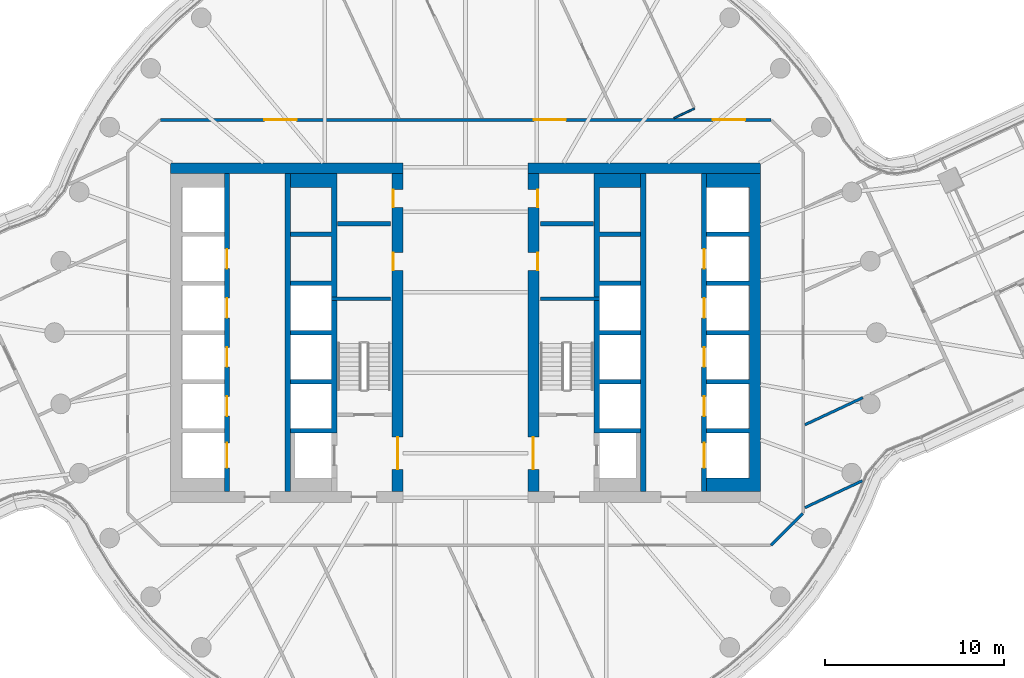
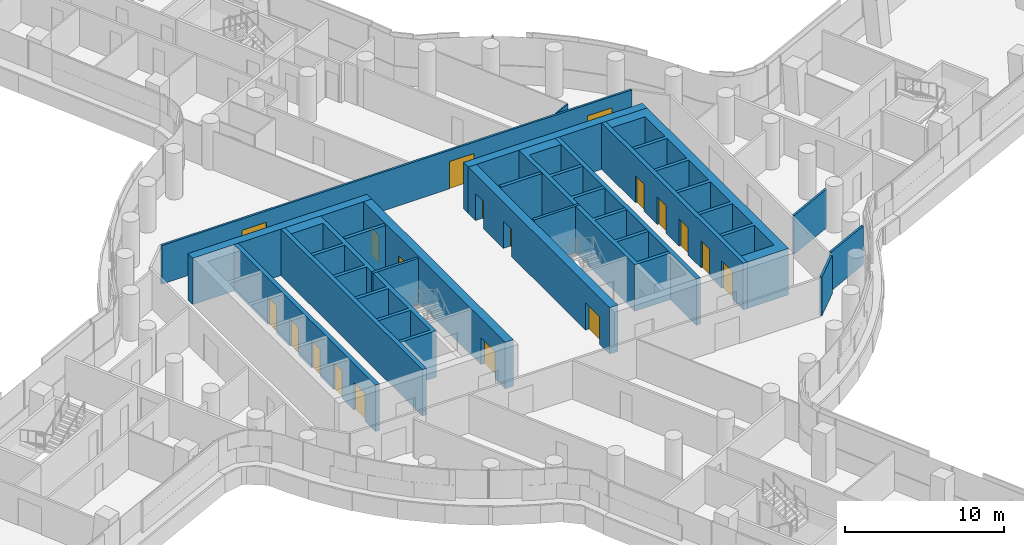
# One storey, part 25 of 36: 20 walls, 19 doors, 19 openings.
"""IFC4 building model written with IfcOpenShell, lengths in metres."""

from ifc_helpers import new_model, si_unit, direction, frame, frame_2d, origin, place, context, subcontext, project, spatial, polyline, rectangle, outline, extrude, material, layer, layer_set, type_object, element, fill, save


model = new_model("IFC4")

# Units and contexts
model_context = context("Model", 3, precision=1e-05, world=origin(), true_north=direction((0.0, 1.0)))
body_context = subcontext(model_context, "Body", "Model", "MODEL_VIEW")
ifc_project = project(units=[si_unit("LENGTHUNIT", "METRE"), si_unit("AREAUNIT", "SQUARE_METRE"), si_unit("VOLUMEUNIT", "CUBIC_METRE"), si_unit("PLANEANGLEUNIT", "RADIAN"), si_unit("MASSUNIT", "GRAM", prefix="KILO")], contexts=[model_context])

# Site, building, storey
site_placement = place(None, origin())
site = spatial("IfcSite", under=ifc_project, at=site_placement, CompositionType="ELEMENT")
building_placement = place(site_placement, origin())
building = spatial("IfcBuilding", under=site, at=building_placement, Name="Tamarind Cross Interchange Tower", CompositionType="ELEMENT")
storey_placement = place(building_placement, frame((0.0, 0.0, 124.75)))
storey = spatial("IfcBuildingStorey", under=building, at=storey_placement, Name="L30", CompositionType="ELEMENT", Elevation=124.75)

# Wall
ifc_material_1 = material(Name="Concrete C70", Category="concrete")
ifc_layer_1 = layer(ifc_material_1, 0.60009765625)
ifc_layer_set_1 = layer_set([ifc_layer_1], Name="Concrete C70")
wall_type_1 = type_object("IfcWallType", Name="Core wall 600 mm Concrete C70", PredefinedType="SHEAR", material=ifc_layer_set_1)
wall_1_placement = place(storey_placement, frame((-16.5, 9.199951171875, 0.0), z_axis=(0.0, 0.0, 1.0), x_axis=(1.0, 0.0, 0.0)))
element("IfcWall", 1, at=wall_1_placement, inside=storey, type_object=wall_type_1, Name="Core wall CWL-L30-W-NE", PredefinedType="SHEAR", context=body_context, shape_type="SweptSolid", body=[
    extrude(rectangle(XDim=13.0, YDim=0.60009765625, at=frame_2d((6.5, 0.0))), origin(), (0.0, 0.0, 1.0), 3.570068359375),
])

# Wall, openings, doors
wall_2_placement = place(storey_placement, frame((-3.800048828125, -8.89990234375, 0.0), z_axis=(0.0, 0.0, 1.0), x_axis=(0.0, 1.0, 0.0)))
wall_2 = element("IfcWall", 2, at=wall_2_placement, inside=storey, type_object=wall_type_1, Name="Core wall CWL-L30-W-IN", PredefinedType="SHEAR", context=body_context, shape_type="SweptSolid", body=[
    extrude(rectangle(XDim=17.7998046875, YDim=0.60009765625, at=frame_2d((8.89990234375, 0.0))), origin(), (0.0, 0.0, 1.0), 3.570068359375),
])
opening_1_placement = place(wall_2_placement, frame((1.25, 0.0, 0.0)))
opening_1 = element("IfcOpeningElement", 3, at=opening_1_placement, cuts=wall_2, Name="Opening DCW4", PredefinedType="OPENING", context=body_context, shape_type="SweptSolid", body=[
    extrude(rectangle(XDim=1.800048828125, YDim=2.10009765625, at=frame_2d((0.89990234375, 1.050048828125))), frame((0.0, 0.31005859375, 0.0), z_axis=(0.0, -1.0, 0.0), x_axis=(1.0, 0.0, 0.0)), (0.0, 0.0, 1.0), 0.6201171875),
])
opening_2_placement = place(wall_2_placement, frame((12.37744140625, 0.0, 0.0)))
opening_2 = element("IfcOpeningElement", 4, at=opening_2_placement, cuts=wall_2, Name="Opening DCW5", PredefinedType="OPENING", context=body_context, shape_type="SweptSolid", body=[
    extrude(rectangle(XDim=1.0, YDim=2.10009765625, at=frame_2d((0.5, 1.050048828125))), frame((0.0, 0.31005859375, 0.0), z_axis=(0.0, -1.0, 0.0), x_axis=(1.0, 0.0, 0.0)), (0.0, 0.0, 1.0), 0.6201171875),
])
opening_3_placement = place(wall_2_placement, frame((15.902587890625, 0.0, 0.0)))
opening_3 = element("IfcOpeningElement", 5, at=opening_3_placement, cuts=wall_2, Name="Opening DCW5", PredefinedType="OPENING", context=body_context, shape_type="SweptSolid", body=[
    extrude(rectangle(XDim=1.0, YDim=2.10009765625, at=frame_2d((0.5, 1.050048828125))), frame((0.0, 0.31005859375, 0.0), z_axis=(0.0, -1.0, 0.0), x_axis=(1.0, 0.0, 0.0)), (0.0, 0.0, 1.0), 0.6201171875),
])
ifc_material_2 = material(Name="Steel, fire-resisting", Category="steel")
door_type_1 = type_object("IfcDoorType", Name="Core fire door 1000 x 2100 FD90", OperationType="SINGLE_SWING_LEFT", PredefinedType="DOOR", material=ifc_material_2)
door_1_placement = place(opening_2_placement, origin())
door_1 = element("IfcDoor", 6, at=door_1_placement, inside=storey, type_object=door_type_1, Name="L30 cleaner's store door", OperationType="SINGLE_SWING_LEFT", OverallHeight=2.10009765625, OverallWidth=1.0, PredefinedType="DOOR", context=body_context, shape_type="SweptSolid", body=[
    extrude(rectangle(XDim=1.0, YDim=2.10009765625, at=frame_2d((0.5, 1.050048828125))), frame((0.0, 0.27490234375, 0.0), z_axis=(0.0, -1.0, 0.0), x_axis=(1.0, 0.0, 0.0)), (0.0, 0.0, 1.0), 0.050048828125),
])
fill(opening_2, door_1)
door_2_placement = place(opening_3_placement, origin())
door_2 = element("IfcDoor", 7, at=door_2_placement, inside=storey, type_object=door_type_1, Name="L30 comms room door", OperationType="SINGLE_SWING_LEFT", OverallHeight=2.10009765625, OverallWidth=1.0, PredefinedType="DOOR", context=body_context, shape_type="SweptSolid", body=[
    extrude(rectangle(XDim=1.0, YDim=2.10009765625, at=frame_2d((0.5, 1.050048828125))), frame((0.0, 0.27490234375, 0.0), z_axis=(0.0, -1.0, 0.0), x_axis=(1.0, 0.0, 0.0)), (0.0, 0.0, 1.0), 0.050048828125),
])
fill(opening_3, door_2)
door_type_2 = type_object("IfcDoorType", Name="Core fire door 1800 x 2100 FD90", OperationType="SINGLE_SWING_LEFT", PredefinedType="DOOR", material=ifc_material_2)
door_3_placement = place(opening_1_placement, origin())
door_3 = element("IfcDoor", 8, at=door_3_placement, inside=storey, type_object=door_type_2, Name="L30 firefighting lobby door", OperationType="SINGLE_SWING_LEFT", OverallHeight=2.10009765625, OverallWidth=1.800048828125, PredefinedType="DOOR", context=body_context, shape_type="SweptSolid", body=[
    extrude(rectangle(XDim=1.800048828125, YDim=2.10009765625, at=frame_2d((0.89990234375, 1.050048828125))), frame((0.0, 0.02490234375, 0.0), z_axis=(0.0, -1.0, 0.0), x_axis=(1.0, 0.0, 0.0)), (0.0, 0.0, 1.0), 0.050048828125),
])
fill(opening_1, door_3)

# Walls
wall_3_placement = place(storey_placement, origin())
element("IfcWall", 9, at=wall_3_placement, inside=storey, type_object=wall_type_1, Name="Core wall CWL-L30-E-A", PredefinedType="SHEAR", context=body_context, shape_type="SweptSolid", body=[
    extrude(outline(polyline([(13.5, -8.89990234375), (15.89990234375, -8.89990234375), (16.5, -8.89990234375), (16.5, 8.89990234375), (15.89990234375, 8.89990234375), (13.5, 8.89990234375), (13.5, 8.125), (15.89990234375, 8.125), (15.89990234375, 5.625), (13.5, 5.625), (13.5, 5.375), (15.89990234375, 5.375), (15.89990234375, 2.875), (13.5, 2.875), (13.5, 2.625), (15.89990234375, 2.625), (15.89990234375, 0.125), (13.5, 0.125), (13.5, -0.125), (15.89990234375, -0.125), (15.89990234375, -2.625), (13.5, -2.625), (13.5, -2.875), (15.89990234375, -2.875), (15.89990234375, -5.375), (13.5, -5.375), (13.5, -5.625), (15.89990234375, -5.625), (15.89990234375, -8.125), (13.5, -8.125), (13.5, -8.89990234375)])), origin(), (0.0, 0.0, 1.0), 3.570068359375),
])
wall_4_placement = place(storey_placement, frame((16.5, 9.199951171875, 0.0), z_axis=(0.0, 0.0, 1.0), x_axis=(-1.0, 0.0, 0.0)))
element("IfcWall", 10, at=wall_4_placement, inside=storey, type_object=wall_type_1, Name="Core wall CWL-L30-E-NE", PredefinedType="SHEAR", context=body_context, shape_type="SweptSolid", body=[
    extrude(rectangle(XDim=13.0, YDim=0.60009765625, at=frame_2d((6.5, 0.0))), origin(), (0.0, 0.0, 1.0), 3.570068359375),
])

# Wall, openings, doors
wall_5_placement = place(storey_placement, frame((3.800048828125, -8.89990234375, 0.0), z_axis=(0.0, 0.0, 1.0), x_axis=(0.0, 1.0, 0.0)))
wall_5 = element("IfcWall", 11, at=wall_5_placement, inside=storey, type_object=wall_type_1, Name="Core wall CWL-L30-E-IN", PredefinedType="SHEAR", context=body_context, shape_type="SweptSolid", body=[
    extrude(rectangle(XDim=17.7998046875, YDim=0.60009765625, at=frame_2d((8.89990234375, 0.0))), origin(), (0.0, 0.0, 1.0), 3.570068359375),
])
opening_4_placement = place(wall_5_placement, frame((1.25, 0.0, 0.0)))
opening_4 = element("IfcOpeningElement", 12, at=opening_4_placement, cuts=wall_5, Name="Opening DCE4", PredefinedType="OPENING", context=body_context, shape_type="SweptSolid", body=[
    extrude(rectangle(XDim=1.800048828125, YDim=2.10009765625, at=frame_2d((0.89990234375, 1.050048828125))), frame((0.0, 0.31005859375, 0.0), z_axis=(0.0, -1.0, 0.0), x_axis=(1.0, 0.0, 0.0)), (0.0, 0.0, 1.0), 0.6201171875),
])
opening_5_placement = place(wall_5_placement, frame((12.37744140625, 0.0, 0.0)))
opening_5 = element("IfcOpeningElement", 13, at=opening_5_placement, cuts=wall_5, Name="Opening DCE5", PredefinedType="OPENING", context=body_context, shape_type="SweptSolid", body=[
    extrude(rectangle(XDim=1.0, YDim=2.10009765625, at=frame_2d((0.5, 1.050048828125))), frame((0.0, 0.31005859375, 0.0), z_axis=(0.0, -1.0, 0.0), x_axis=(1.0, 0.0, 0.0)), (0.0, 0.0, 1.0), 0.6201171875),
])
opening_6_placement = place(wall_5_placement, frame((15.902587890625, 0.0, 0.0)))
opening_6 = element("IfcOpeningElement", 14, at=opening_6_placement, cuts=wall_5, Name="Opening DCE5", PredefinedType="OPENING", context=body_context, shape_type="SweptSolid", body=[
    extrude(rectangle(XDim=1.0, YDim=2.10009765625, at=frame_2d((0.5, 1.050048828125))), frame((0.0, 0.31005859375, 0.0), z_axis=(0.0, -1.0, 0.0), x_axis=(1.0, 0.0, 0.0)), (0.0, 0.0, 1.0), 0.6201171875),
])
door_4_placement = place(opening_5_placement, origin())
door_4 = element("IfcDoor", 15, at=door_4_placement, inside=storey, type_object=door_type_1, Name="L30 cleaner's store door", OperationType="SINGLE_SWING_LEFT", OverallHeight=2.10009765625, OverallWidth=1.0, PredefinedType="DOOR", context=body_context, shape_type="SweptSolid", body=[
    extrude(rectangle(XDim=1.0, YDim=2.10009765625, at=frame_2d((0.5, 1.050048828125))), frame((0.0, -0.22509765625, 0.0), z_axis=(0.0, -1.0, 0.0), x_axis=(1.0, 0.0, 0.0)), (0.0, 0.0, 1.0), 0.050048828125),
])
fill(opening_5, door_4)
door_5_placement = place(opening_6_placement, origin())
door_5 = element("IfcDoor", 16, at=door_5_placement, inside=storey, type_object=door_type_1, Name="L30 comms room door", OperationType="SINGLE_SWING_LEFT", OverallHeight=2.10009765625, OverallWidth=1.0, PredefinedType="DOOR", context=body_context, shape_type="SweptSolid", body=[
    extrude(rectangle(XDim=1.0, YDim=2.10009765625, at=frame_2d((0.5, 1.050048828125))), frame((0.0, -0.22509765625, 0.0), z_axis=(0.0, -1.0, 0.0), x_axis=(1.0, 0.0, 0.0)), (0.0, 0.0, 1.0), 0.050048828125),
])
fill(opening_6, door_5)
door_6_placement = place(opening_4_placement, origin())
door_6 = element("IfcDoor", 17, at=door_6_placement, inside=storey, type_object=door_type_2, Name="L30 firefighting lobby door", OperationType="SINGLE_SWING_LEFT", OverallHeight=2.10009765625, OverallWidth=1.800048828125, PredefinedType="DOOR", context=body_context, shape_type="SweptSolid", body=[
    extrude(rectangle(XDim=1.800048828125, YDim=2.10009765625, at=frame_2d((0.89990234375, 1.050048828125))), frame((0.0, 0.02490234375, 0.0), z_axis=(0.0, -1.0, 0.0), x_axis=(1.0, 0.0, 0.0)), (0.0, 0.0, 1.0), 0.050048828125),
])
fill(opening_4, door_6)

# Walls
ifc_layer_2 = layer(ifc_material_1, 0.199951171875)
ifc_layer_set_2 = layer_set([ifc_layer_2], Name="Concrete C70")
wall_type_2 = type_object("IfcWallType", Name="Core web wall 200 mm Concrete C70", PredefinedType="SHEAR", material=ifc_layer_set_2)
for number, where, z_axis, x_axis, name in (
    (18, (-7.5, 1.89990234375, 0.0), (0.0, 0.0, 1.0), (1.0, 0.0, 0.0), "Core wall CWL-L30-W-BD"),
    (19, (7.5, 1.89990234375, 0.0), (0.0, 0.0, 1.0), (-1.0, 0.0, 0.0), "Core wall CWL-L30-E-BD"),
):
    element("IfcWall", number, at=place(storey_placement, frame(where, z_axis=z_axis, x_axis=x_axis)), inside=storey, type_object=wall_type_2, Name=name, PredefinedType="SHEAR", context=body_context, shape_type="SweptSolid", body=[
        extrude(rectangle(XDim=3.300048828125, YDim=0.199951171875, at=frame_2d((1.64990234375, 0.0))), origin(), (0.0, 0.0, 1.0), 3.570068359375),
    ])
ifc_layer_3 = layer(ifc_material_1, 0.300048828125)
ifc_layer_set_3 = layer_set([ifc_layer_3], Name="Concrete C70")
wall_type_3 = type_object("IfcWallType", Name="Core web wall 300 mm Concrete C70", PredefinedType="SHEAR", material=ifc_layer_set_3)
wall_6_placement = place(storey_placement, origin())
element("IfcWall", 20, at=wall_6_placement, inside=storey, type_object=wall_type_3, Name="Core wall CWL-L30-W-BN", PredefinedType="SHEAR", context=body_context, shape_type="SweptSolid", body=[
    extrude(outline(polyline([(-9.800048828125, -5.375), (-9.800048828125, -5.625), (-7.5, -5.625), (-7.199951171875, -5.625), (-7.199951171875, 8.89990234375), (-7.5, 8.89990234375), (-9.800048828125, 8.89990234375), (-9.800048828125, 8.125), (-7.5, 8.125), (-7.5, 5.625), (-9.800048828125, 5.625), (-9.800048828125, 5.375), (-7.5, 5.375), (-7.5, 2.875), (-9.800048828125, 2.875), (-9.800048828125, 2.625), (-7.5, 2.625), (-7.5, 0.125), (-9.800048828125, 0.125), (-9.800048828125, -0.125), (-7.5, -0.125), (-7.5, -2.625), (-9.800048828125, -2.625), (-9.800048828125, -2.875), (-7.5, -2.875), (-7.5, -5.375), (-9.800048828125, -5.375)])), origin(), (0.0, 0.0, 1.0), 3.570068359375),
])

# Wall, openings, doors
wall_7_placement = place(storey_placement, frame((-13.35009765625, -8.89990234375, 0.0), z_axis=(0.0, 0.0, 1.0), x_axis=(0.0, 1.0, 0.0)))
wall_7 = element("IfcWall", 21, at=wall_7_placement, inside=storey, type_object=wall_type_3, Name="Core wall CWL-L30-W-LA", PredefinedType="SHEAR", context=body_context, shape_type="SweptSolid", body=[
    extrude(rectangle(XDim=17.7998046875, YDim=0.300048828125, at=frame_2d((8.89990234375, 0.0))), origin(), (0.0, 0.0, 1.0), 3.570068359375),
])
opening_7_placement = place(wall_7_placement, frame((1.324951171875, 0.0, 0.0)))
opening_7 = element("IfcOpeningElement", 22, at=opening_7_placement, cuts=wall_7, Name="Opening LD1L30", PredefinedType="OPENING", context=body_context, shape_type="SweptSolid", body=[
    extrude(rectangle(XDim=1.39990234375, YDim=2.10009765625, at=frame_2d((0.699951171875, 1.050048828125))), frame((0.0, 0.159912109375, 0.0), z_axis=(0.0, -1.0, 0.0), x_axis=(1.0, 0.0, 0.0)), (0.0, 0.0, 1.0), 0.320068359375),
])
opening_8_placement = place(wall_7_placement, frame((4.22509765625, 0.0, 0.0)))
opening_8 = element("IfcOpeningElement", 23, at=opening_8_placement, cuts=wall_7, Name="Opening LD2L30", PredefinedType="OPENING", context=body_context, shape_type="SweptSolid", body=[
    extrude(rectangle(XDim=1.10009765625, YDim=2.10009765625, at=frame_2d((0.550048828125, 1.050048828125))), frame((0.0, 0.159912109375, 0.0), z_axis=(0.0, -1.0, 0.0), x_axis=(1.0, 0.0, 0.0)), (0.0, 0.0, 1.0), 0.320068359375),
])
opening_9_placement = place(wall_7_placement, frame((6.97509765625, 0.0, 0.0)))
opening_9 = element("IfcOpeningElement", 24, at=opening_9_placement, cuts=wall_7, Name="Opening LD3L30", PredefinedType="OPENING", context=body_context, shape_type="SweptSolid", body=[
    extrude(rectangle(XDim=1.10009765625, YDim=2.10009765625, at=frame_2d((0.550048828125, 1.050048828125))), frame((0.0, 0.159912109375, 0.0), z_axis=(0.0, -1.0, 0.0), x_axis=(1.0, 0.0, 0.0)), (0.0, 0.0, 1.0), 0.320068359375),
])
opening_10_placement = place(wall_7_placement, frame((9.72509765625, 0.0, 0.0)))
opening_10 = element("IfcOpeningElement", 25, at=opening_10_placement, cuts=wall_7, Name="Opening LD4L30", PredefinedType="OPENING", context=body_context, shape_type="SweptSolid", body=[
    extrude(rectangle(XDim=1.10009765625, YDim=2.10009765625, at=frame_2d((0.550048828125, 1.050048828125))), frame((0.0, 0.159912109375, 0.0), z_axis=(0.0, -1.0, 0.0), x_axis=(1.0, 0.0, 0.0)), (0.0, 0.0, 1.0), 0.320068359375),
])
opening_11_placement = place(wall_7_placement, frame((12.47509765625, 0.0, 0.0)))
opening_11 = element("IfcOpeningElement", 26, at=opening_11_placement, cuts=wall_7, Name="Opening LD5L30", PredefinedType="OPENING", context=body_context, shape_type="SweptSolid", body=[
    extrude(rectangle(XDim=1.10009765625, YDim=2.10009765625, at=frame_2d((0.550048828125, 1.050048828125))), frame((0.0, 0.159912109375, 0.0), z_axis=(0.0, -1.0, 0.0), x_axis=(1.0, 0.0, 0.0)), (0.0, 0.0, 1.0), 0.320068359375),
])
ifc_material_3 = material(Name="Stainless steel panel", Category="steel")
door_type_3 = type_object("IfcDoorType", Name="Lift landing door 1100 x 2100 E 120", OperationType="SLIDING_TO_LEFT", PredefinedType="DOOR", material=ifc_material_3)
door_7_placement = place(opening_8_placement, origin())
door_7 = element("IfcDoor", 27, at=door_7_placement, inside=storey, type_object=door_type_3, Name="L30 landing door LF2", OperationType="SLIDING_TO_LEFT", OverallHeight=2.10009765625, OverallWidth=1.10009765625, PredefinedType="DOOR", context=body_context, shape_type="SweptSolid", body=[
    extrude(rectangle(XDim=1.10009765625, YDim=2.10009765625, at=frame_2d((0.550048828125, 1.050048828125))), frame((0.0, 0.02490234375, 0.0), z_axis=(0.0, -1.0, 0.0), x_axis=(1.0, 0.0, 0.0)), (0.0, 0.0, 1.0), 0.050048828125),
])
fill(opening_8, door_7)
door_8_placement = place(opening_9_placement, origin())
door_8 = element("IfcDoor", 28, at=door_8_placement, inside=storey, type_object=door_type_3, Name="L30 landing door LF3", OperationType="SLIDING_TO_LEFT", OverallHeight=2.10009765625, OverallWidth=1.10009765625, PredefinedType="DOOR", context=body_context, shape_type="SweptSolid", body=[
    extrude(rectangle(XDim=1.10009765625, YDim=2.10009765625, at=frame_2d((0.550048828125, 1.050048828125))), frame((0.0, 0.02490234375, 0.0), z_axis=(0.0, -1.0, 0.0), x_axis=(1.0, 0.0, 0.0)), (0.0, 0.0, 1.0), 0.050048828125),
])
fill(opening_9, door_8)
door_9_placement = place(opening_10_placement, origin())
door_9 = element("IfcDoor", 29, at=door_9_placement, inside=storey, type_object=door_type_3, Name="L30 landing door LF4", OperationType="SLIDING_TO_LEFT", OverallHeight=2.10009765625, OverallWidth=1.10009765625, PredefinedType="DOOR", context=body_context, shape_type="SweptSolid", body=[
    extrude(rectangle(XDim=1.10009765625, YDim=2.10009765625, at=frame_2d((0.550048828125, 1.050048828125))), frame((0.0, 0.02490234375, 0.0), z_axis=(0.0, -1.0, 0.0), x_axis=(1.0, 0.0, 0.0)), (0.0, 0.0, 1.0), 0.050048828125),
])
fill(opening_10, door_9)
door_10_placement = place(opening_11_placement, origin())
door_10 = element("IfcDoor", 30, at=door_10_placement, inside=storey, type_object=door_type_3, Name="L30 landing door LF5", OperationType="SLIDING_TO_LEFT", OverallHeight=2.10009765625, OverallWidth=1.10009765625, PredefinedType="DOOR", context=body_context, shape_type="SweptSolid", body=[
    extrude(rectangle(XDim=1.10009765625, YDim=2.10009765625, at=frame_2d((0.550048828125, 1.050048828125))), frame((0.0, 0.02490234375, 0.0), z_axis=(0.0, -1.0, 0.0), x_axis=(1.0, 0.0, 0.0)), (0.0, 0.0, 1.0), 0.050048828125),
])
fill(opening_11, door_10)
door_type_4 = type_object("IfcDoorType", Name="Lift landing door 1400 x 2100 E 120", OperationType="SLIDING_TO_LEFT", PredefinedType="DOOR", material=ifc_material_3)
door_11_placement = place(opening_7_placement, origin())
door_11 = element("IfcDoor", 31, at=door_11_placement, inside=storey, type_object=door_type_4, Name="L30 landing door LF1", OperationType="SLIDING_TO_LEFT", OverallHeight=2.10009765625, OverallWidth=1.39990234375, PredefinedType="DOOR", context=body_context, shape_type="SweptSolid", body=[
    extrude(rectangle(XDim=1.39990234375, YDim=2.10009765625, at=frame_2d((0.699951171875, 1.050048828125))), frame((0.0, 0.02490234375, 0.0), z_axis=(0.0, -1.0, 0.0), x_axis=(1.0, 0.0, 0.0)), (0.0, 0.0, 1.0), 0.050048828125),
])
fill(opening_7, door_11)

# Walls
wall_8_placement = place(storey_placement, frame((-9.949951171875, -8.89990234375, 0.0), z_axis=(0.0, 0.0, 1.0), x_axis=(0.0, 1.0, 0.0)))
element("IfcWall", 32, at=wall_8_placement, inside=storey, type_object=wall_type_3, Name="Core wall CWL-L30-W-LB", PredefinedType="SHEAR", context=body_context, shape_type="SweptSolid", body=[
    extrude(rectangle(XDim=17.7998046875, YDim=0.300048828125, at=frame_2d((8.89990234375, 0.0))), origin(), (0.0, 0.0, 1.0), 3.570068359375),
])
wall_9_placement = place(storey_placement, origin())
element("IfcWall", 33, at=wall_9_placement, inside=storey, type_object=wall_type_3, Name="Core wall CWL-L30-E-BN", PredefinedType="SHEAR", context=body_context, shape_type="SweptSolid", body=[
    extrude(outline(polyline([(9.800048828125, -5.375), (7.5, -5.375), (7.5, -2.875), (9.800048828125, -2.875), (9.800048828125, -2.625), (7.5, -2.625), (7.5, -0.125), (9.800048828125, -0.125), (9.800048828125, 0.125), (7.5, 0.125), (7.5, 2.625), (9.800048828125, 2.625), (9.800048828125, 2.875), (7.5, 2.875), (7.5, 5.375), (9.800048828125, 5.375), (9.800048828125, 5.625), (7.5, 5.625), (7.5, 8.125), (9.800048828125, 8.125), (9.800048828125, 8.89990234375), (7.5, 8.89990234375), (7.199951171875, 8.89990234375), (7.199951171875, -5.625), (7.5, -5.625), (9.800048828125, -5.625), (9.800048828125, -5.375)])), origin(), (0.0, 0.0, 1.0), 3.570068359375),
])

# Wall, openings, doors
wall_10_placement = place(storey_placement, frame((13.35009765625, -8.89990234375, 0.0), z_axis=(0.0, 0.0, 1.0), x_axis=(0.0, 1.0, 0.0)))
wall_10 = element("IfcWall", 34, at=wall_10_placement, inside=storey, type_object=wall_type_3, Name="Core wall CWL-L30-E-LA", PredefinedType="SHEAR", context=body_context, shape_type="SweptSolid", body=[
    extrude(rectangle(XDim=17.7998046875, YDim=0.300048828125, at=frame_2d((8.89990234375, 0.0))), origin(), (0.0, 0.0, 1.0), 3.570068359375),
])
opening_12_placement = place(wall_10_placement, frame((1.324951171875, 0.0, 0.0)))
opening_12 = element("IfcOpeningElement", 35, at=opening_12_placement, cuts=wall_10, Name="Opening LD13L30", PredefinedType="OPENING", context=body_context, shape_type="SweptSolid", body=[
    extrude(rectangle(XDim=1.39990234375, YDim=2.10009765625, at=frame_2d((0.699951171875, 1.050048828125))), frame((0.0, 0.159912109375, 0.0), z_axis=(0.0, -1.0, 0.0), x_axis=(1.0, 0.0, 0.0)), (0.0, 0.0, 1.0), 0.320068359375),
])
opening_13_placement = place(wall_10_placement, frame((4.22509765625, 0.0, 0.0)))
opening_13 = element("IfcOpeningElement", 36, at=opening_13_placement, cuts=wall_10, Name="Opening LD14L30", PredefinedType="OPENING", context=body_context, shape_type="SweptSolid", body=[
    extrude(rectangle(XDim=1.10009765625, YDim=2.10009765625, at=frame_2d((0.550048828125, 1.050048828125))), frame((0.0, 0.159912109375, 0.0), z_axis=(0.0, -1.0, 0.0), x_axis=(1.0, 0.0, 0.0)), (0.0, 0.0, 1.0), 0.320068359375),
])
opening_14_placement = place(wall_10_placement, frame((6.97509765625, 0.0, 0.0)))
opening_14 = element("IfcOpeningElement", 37, at=opening_14_placement, cuts=wall_10, Name="Opening LD15L30", PredefinedType="OPENING", context=body_context, shape_type="SweptSolid", body=[
    extrude(rectangle(XDim=1.10009765625, YDim=2.10009765625, at=frame_2d((0.550048828125, 1.050048828125))), frame((0.0, 0.159912109375, 0.0), z_axis=(0.0, -1.0, 0.0), x_axis=(1.0, 0.0, 0.0)), (0.0, 0.0, 1.0), 0.320068359375),
])
opening_15_placement = place(wall_10_placement, frame((9.72509765625, 0.0, 0.0)))
opening_15 = element("IfcOpeningElement", 38, at=opening_15_placement, cuts=wall_10, Name="Opening LD16L30", PredefinedType="OPENING", context=body_context, shape_type="SweptSolid", body=[
    extrude(rectangle(XDim=1.10009765625, YDim=2.10009765625, at=frame_2d((0.550048828125, 1.050048828125))), frame((0.0, 0.159912109375, 0.0), z_axis=(0.0, -1.0, 0.0), x_axis=(1.0, 0.0, 0.0)), (0.0, 0.0, 1.0), 0.320068359375),
])
opening_16_placement = place(wall_10_placement, frame((12.47509765625, 0.0, 0.0)))
opening_16 = element("IfcOpeningElement", 39, at=opening_16_placement, cuts=wall_10, Name="Opening LD17L30", PredefinedType="OPENING", context=body_context, shape_type="SweptSolid", body=[
    extrude(rectangle(XDim=1.10009765625, YDim=2.10009765625, at=frame_2d((0.550048828125, 1.050048828125))), frame((0.0, 0.159912109375, 0.0), z_axis=(0.0, -1.0, 0.0), x_axis=(1.0, 0.0, 0.0)), (0.0, 0.0, 1.0), 0.320068359375),
])
door_12_placement = place(opening_13_placement, origin())
door_12 = element("IfcDoor", 40, at=door_12_placement, inside=storey, type_object=door_type_3, Name="L30 landing door LF14", OperationType="SLIDING_TO_LEFT", OverallHeight=2.10009765625, OverallWidth=1.10009765625, PredefinedType="DOOR", context=body_context, shape_type="SweptSolid", body=[
    extrude(rectangle(XDim=1.10009765625, YDim=2.10009765625, at=frame_2d((0.550048828125, 1.050048828125))), frame((0.0, 0.02490234375, 0.0), z_axis=(0.0, -1.0, 0.0), x_axis=(1.0, 0.0, 0.0)), (0.0, 0.0, 1.0), 0.050048828125),
])
fill(opening_13, door_12)
door_13_placement = place(opening_14_placement, origin())
door_13 = element("IfcDoor", 41, at=door_13_placement, inside=storey, type_object=door_type_3, Name="L30 landing door LF15", OperationType="SLIDING_TO_LEFT", OverallHeight=2.10009765625, OverallWidth=1.10009765625, PredefinedType="DOOR", context=body_context, shape_type="SweptSolid", body=[
    extrude(rectangle(XDim=1.10009765625, YDim=2.10009765625, at=frame_2d((0.550048828125, 1.050048828125))), frame((0.0, 0.02490234375, 0.0), z_axis=(0.0, -1.0, 0.0), x_axis=(1.0, 0.0, 0.0)), (0.0, 0.0, 1.0), 0.050048828125),
])
fill(opening_14, door_13)
door_14_placement = place(opening_15_placement, origin())
door_14 = element("IfcDoor", 42, at=door_14_placement, inside=storey, type_object=door_type_3, Name="L30 landing door LF16", OperationType="SLIDING_TO_LEFT", OverallHeight=2.10009765625, OverallWidth=1.10009765625, PredefinedType="DOOR", context=body_context, shape_type="SweptSolid", body=[
    extrude(rectangle(XDim=1.10009765625, YDim=2.10009765625, at=frame_2d((0.550048828125, 1.050048828125))), frame((0.0, 0.02490234375, 0.0), z_axis=(0.0, -1.0, 0.0), x_axis=(1.0, 0.0, 0.0)), (0.0, 0.0, 1.0), 0.050048828125),
])
fill(opening_15, door_14)
door_15_placement = place(opening_16_placement, origin())
door_15 = element("IfcDoor", 43, at=door_15_placement, inside=storey, type_object=door_type_3, Name="L30 landing door LF17", OperationType="SLIDING_TO_LEFT", OverallHeight=2.10009765625, OverallWidth=1.10009765625, PredefinedType="DOOR", context=body_context, shape_type="SweptSolid", body=[
    extrude(rectangle(XDim=1.10009765625, YDim=2.10009765625, at=frame_2d((0.550048828125, 1.050048828125))), frame((0.0, 0.02490234375, 0.0), z_axis=(0.0, -1.0, 0.0), x_axis=(1.0, 0.0, 0.0)), (0.0, 0.0, 1.0), 0.050048828125),
])
fill(opening_16, door_15)
door_16_placement = place(opening_12_placement, origin())
door_16 = element("IfcDoor", 44, at=door_16_placement, inside=storey, type_object=door_type_4, Name="L30 landing door LF13", OperationType="SLIDING_TO_LEFT", OverallHeight=2.10009765625, OverallWidth=1.39990234375, PredefinedType="DOOR", context=body_context, shape_type="SweptSolid", body=[
    extrude(rectangle(XDim=1.39990234375, YDim=2.10009765625, at=frame_2d((0.699951171875, 1.050048828125))), frame((0.0, 0.02490234375, 0.0), z_axis=(0.0, -1.0, 0.0), x_axis=(1.0, 0.0, 0.0)), (0.0, 0.0, 1.0), 0.050048828125),
])
fill(opening_12, door_16)

# Walls
wall_11_placement = place(storey_placement, frame((9.949951171875, -8.89990234375, 0.0), z_axis=(0.0, 0.0, 1.0), x_axis=(0.0, 1.0, 0.0)))
element("IfcWall", 45, at=wall_11_placement, inside=storey, type_object=wall_type_3, Name="Core wall CWL-L30-E-LB", PredefinedType="SHEAR", context=body_context, shape_type="SweptSolid", body=[
    extrude(rectangle(XDim=17.7998046875, YDim=0.300048828125, at=frame_2d((8.89990234375, 0.0))), origin(), (0.0, 0.0, 1.0), 3.570068359375),
])
ifc_material_4 = material(Name="Gypsum board partition on steel studs", Category="steel")
ifc_layer_4 = layer(ifc_material_4, 0.10009765625)
ifc_layer_set_4 = layer_set([ifc_layer_4], Name="Gypsum board partition on steel studs")
wall_type_4 = type_object("IfcWallType", Name="Partition 100 mm EI 120", PredefinedType="PARTITIONING", material=ifc_layer_set_4)
wall_12_placement = place(storey_placement, frame((11.666015625, 12.000244140625, 0.0), z_axis=(0.0, 0.0, 1.0), x_axis=(0.905726309161, 0.423863011942, 0.0)))
element("IfcWall", 46, at=wall_12_placement, inside=storey, type_object=wall_type_4, Name="Partition L30-046", PredefinedType="PARTITIONING", context=body_context, shape_type="SweptSolid", body=[
    extrude(rectangle(XDim=1.271240234375, YDim=0.10009765625, at=frame_2d((0.6357421875, 0.0))), origin(), (0.0, 0.0, 1.0), 2.969970703125),
])

# Wall, openings, doors
ifc_layer_5 = layer(ifc_material_4, 0.14990234375)
ifc_layer_set_5 = layer_set([ifc_layer_5], Name="Gypsum board partition on steel studs")
wall_type_5 = type_object("IfcWallType", Name="Partition 150 mm EI 120", PredefinedType="PARTITIONING", material=ifc_layer_set_5)
wall_13_placement = place(storey_placement, frame((-17.06494140625, 11.89990234375, 0.0), z_axis=(0.0, 0.0, 1.0), x_axis=(1.0, 0.0, 0.0)))
wall_13 = element("IfcWall", 47, at=wall_13_placement, inside=storey, type_object=wall_type_5, Name="Partition L30-038", PredefinedType="PARTITIONING", context=body_context, shape_type="SweptSolid", body=[
    extrude(rectangle(XDim=34.1650390625, YDim=0.14990234375, at=frame_2d((17.08251953125, 0.0))), origin(), (0.0, 0.0, 1.0), 2.969970703125),
])
opening_17_placement = place(wall_13_placement, frame((20.886962890625, 0.0, 0.0)))
opening_17 = element("IfcOpeningElement", 48, at=opening_17_placement, cuts=wall_13, Name="Opening D26", PredefinedType="OPENING", context=body_context, shape_type="SweptSolid", body=[
    extrude(rectangle(XDim=1.800048828125, YDim=2.10009765625, at=frame_2d((0.89990234375, 1.050048828125))), frame((0.0, 0.0849609375, 0.0), z_axis=(0.0, -1.0, 0.0), x_axis=(1.0, 0.0, 0.0)), (0.0, 0.0, 1.0), 0.169921875),
])
opening_18_placement = place(wall_13_placement, frame((30.9130859375, 0.0, 0.0)))
opening_18 = element("IfcOpeningElement", 49, at=opening_18_placement, cuts=wall_13, Name="Opening D27", PredefinedType="OPENING", context=body_context, shape_type="SweptSolid", body=[
    extrude(rectangle(XDim=1.800048828125, YDim=2.10009765625, at=frame_2d((0.89990234375, 1.050048828125))), frame((0.0, 0.0849609375, 0.0), z_axis=(0.0, -1.0, 0.0), x_axis=(1.0, 0.0, 0.0)), (0.0, 0.0, 1.0), 0.169921875),
])
opening_19_placement = place(wall_13_placement, frame((5.81494140625, 0.0, 0.0)))
opening_19 = element("IfcOpeningElement", 50, at=opening_19_placement, cuts=wall_13, Name="Opening D28", PredefinedType="OPENING", context=body_context, shape_type="SweptSolid", body=[
    extrude(rectangle(XDim=1.800048828125, YDim=2.10009765625, at=frame_2d((0.89990234375, 1.050048828125))), frame((0.0, 0.0849609375, 0.0), z_axis=(0.0, -1.0, 0.0), x_axis=(1.0, 0.0, 0.0)), (0.0, 0.0, 1.0), 0.169921875),
])
ifc_material_5 = material(Name="Fire-resisting door set")
door_type_5 = type_object("IfcDoorType", Name="Interior door 1800 x 2100 FD60S", OperationType="DOUBLE_DOOR_SINGLE_SWING", PredefinedType="DOOR", material=ifc_material_5)
door_17_placement = place(opening_17_placement, frame((1.800048828125, 0.0, 0.0), z_axis=(0.0, 0.0, 1.0), x_axis=(-1.0, 0.0, 0.0)))
door_17 = element("IfcDoor", 51, at=door_17_placement, inside=storey, type_object=door_type_5, Name="Door D26", OperationType="DOUBLE_DOOR_SINGLE_SWING", OverallHeight=2.10009765625, OverallWidth=1.800048828125, PredefinedType="DOOR", context=body_context, shape_type="SweptSolid", body=[
    extrude(rectangle(XDim=1.800048828125, YDim=2.10009765625, at=frame_2d((0.89990234375, 1.050048828125))), frame((0.0, 0.02490234375, 0.0), z_axis=(0.0, -1.0, 0.0), x_axis=(1.0, 0.0, 0.0)), (0.0, 0.0, 1.0), 0.050048828125),
])
fill(opening_17, door_17)
door_18_placement = place(opening_18_placement, origin())
door_18 = element("IfcDoor", 52, at=door_18_placement, inside=storey, type_object=door_type_5, Name="Door D27", OperationType="DOUBLE_DOOR_SINGLE_SWING", OverallHeight=2.10009765625, OverallWidth=1.800048828125, PredefinedType="DOOR", context=body_context, shape_type="SweptSolid", body=[
    extrude(rectangle(XDim=1.800048828125, YDim=2.10009765625, at=frame_2d((0.89990234375, 1.050048828125))), frame((0.0, 0.02490234375, 0.0), z_axis=(0.0, -1.0, 0.0), x_axis=(1.0, 0.0, 0.0)), (0.0, 0.0, 1.0), 0.050048828125),
])
fill(opening_18, door_18)
door_19_placement = place(opening_19_placement, origin())
door_19 = element("IfcDoor", 53, at=door_19_placement, inside=storey, type_object=door_type_5, Name="Door D28", OperationType="DOUBLE_DOOR_SINGLE_SWING", OverallHeight=2.10009765625, OverallWidth=1.800048828125, PredefinedType="DOOR", context=body_context, shape_type="SweptSolid", body=[
    extrude(rectangle(XDim=1.800048828125, YDim=2.10009765625, at=frame_2d((0.89990234375, 1.050048828125))), frame((0.0, 0.02490234375, 0.0), z_axis=(0.0, -1.0, 0.0), x_axis=(1.0, 0.0, 0.0)), (0.0, 0.0, 1.0), 0.050048828125),
])
fill(opening_19, door_19)

# Walls
wall_14_placement = place(storey_placement, frame((18.990478515625, -9.798583984375, 0.0), z_axis=(0.0, 0.0, 1.0), x_axis=(0.905741880745, 0.42382973641, 0.0)))
element("IfcWall", 54, at=wall_14_placement, inside=storey, type_object=wall_type_5, Name="Partition L30-068", PredefinedType="PARTITIONING", context=body_context, shape_type="SweptSolid", body=[
    extrude(rectangle(XDim=3.5517578125, YDim=0.14990234375, at=frame_2d((1.77587890625, 0.0))), origin(), (0.0, 0.0, 1.0), 2.969970703125),
])
wall_15_placement = place(storey_placement, frame((18.990478515625, -5.16162109375, 0.0), z_axis=(0.0, 0.0, 1.0), x_axis=(0.905759778977, 0.423791485034, 0.0)))
element("IfcWall", 55, at=wall_15_placement, inside=storey, type_object=wall_type_5, Name="Partition L30-069", PredefinedType="PARTITIONING", context=body_context, shape_type="SweptSolid", body=[
    extrude(rectangle(XDim=3.583740234375, YDim=0.14990234375, at=frame_2d((1.7919921875, 0.0))), origin(), (0.0, 0.0, 1.0), 2.969970703125),
])
wall_16_placement = place(storey_placement, frame((17.10009765625, -11.89990234375, 0.0), z_axis=(0.0, 0.0, 1.0), x_axis=(0.707106781187, 0.707106781187, 0.0)))
element("IfcWall", 56, at=wall_16_placement, inside=storey, type_object=wall_type_5, Name="Partition L30-078", PredefinedType="PARTITIONING", context=body_context, shape_type="SweptSolid", body=[
    extrude(rectangle(XDim=2.50537109375, YDim=0.14990234375, at=frame_2d((1.252685546875, 0.0))), origin(), (0.0, 0.0, 1.0), 2.969970703125),
])
ifc_material_6 = material(Name="Concrete C40", Category="concrete")
ifc_layer_6 = layer(ifc_material_6, 0.25)
ifc_layer_set_6 = layer_set([ifc_layer_6], Name="Concrete C40")
wall_type_6 = type_object("IfcWallType", Name="Shaft and lobby wall 250 mm Concrete C40", PredefinedType="PARTITIONING", material=ifc_layer_set_6)
for number, where, z_axis, x_axis, name in (
    (57, (-7.14990234375, 6.080078125, 0.0), (0.0, 0.0, 1.0), (1.0, 0.0, 0.0), "Shaft wall CWL-L30-W-SVP"),
    (58, (7.14990234375, 6.080078125, 0.0), (0.0, 0.0, 1.0), (-1.0, 0.0, 0.0), "Shaft wall CWL-L30-E-SVP"),
):
    element("IfcWall", number, at=place(storey_placement, frame(where, z_axis=z_axis, x_axis=x_axis)), inside=storey, type_object=wall_type_6, Name=name, PredefinedType="PARTITIONING", context=body_context, shape_type="SweptSolid", body=[
        extrude(rectangle(XDim=2.949951171875, YDim=0.25, at=frame_2d((1.47509765625, 0.0))), origin(), (0.0, 0.0, 1.0), 3.570068359375),
    ])

save(model, "model.ifc")
